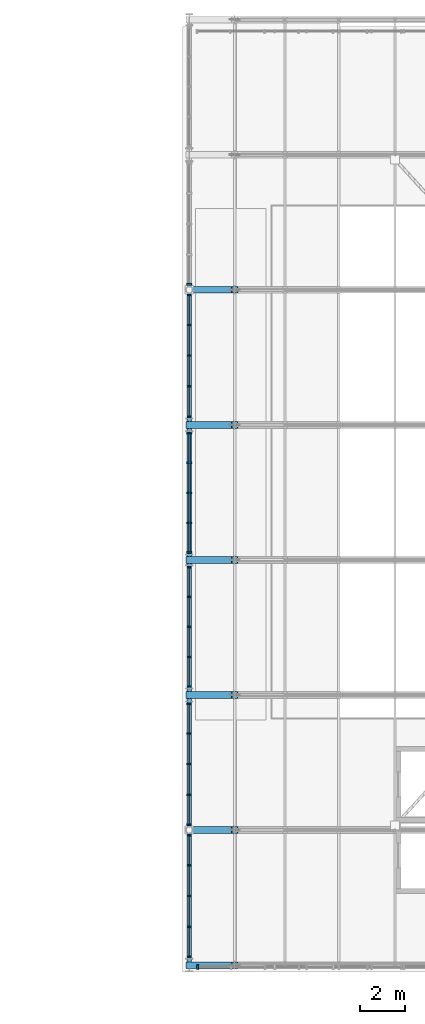
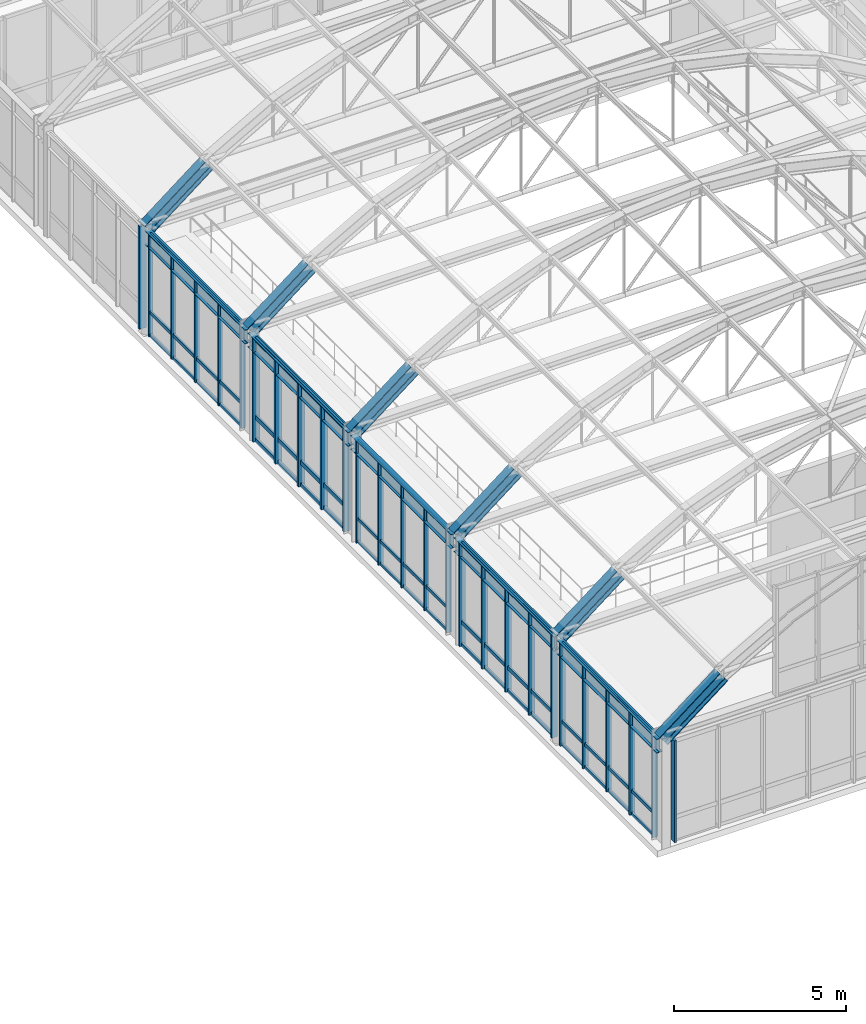
# One storey, part 28 of 148: 42 members, 11 beams, 7 elements without a shape of their own.
"""IFC4 building model written with IfcOpenShell, lengths in metres."""

from ifc_helpers import new_model, si_unit, direction, frame, origin, origin_2d, place, context, subcontext, project, spatial, rectangle, i_section, extrude, material, layer, layer_set, material_profile, profile_set, type_object, element, aggregate, save


model = new_model("IFC4")

# Units and contexts
model_context = context("Model", 3, precision=1e-05, world=origin(), true_north=direction((0.0, 1.0)))
body_context = subcontext(model_context, "Body", "Model", "MODEL_VIEW")
ifc_project = project(units=[si_unit("LENGTHUNIT", "METRE"), si_unit("AREAUNIT", "SQUARE_METRE"), si_unit("VOLUMEUNIT", "CUBIC_METRE"), si_unit("PLANEANGLEUNIT", "RADIAN"), si_unit("MASSUNIT", "GRAM", prefix="KILO"), si_unit("THERMODYNAMICTEMPERATUREUNIT", "KELVIN"), si_unit("POWERUNIT", "WATT")], contexts=[model_context])

# Site, building, storey
site_placement = place(None, origin())
site = spatial("IfcSite", under=ifc_project, at=site_placement, CompositionType="ELEMENT")
building_placement = place(site_placement, origin())
building = spatial("IfcBuilding", under=site, at=building_placement, Name="Solvatero Civic Police Headquarters", CompositionType="ELEMENT")
storey_placement = place(building_placement, frame((0.0, 0.0, 5.10009765625)))
storey = spatial("IfcBuildingStorey", under=building, at=storey_placement, Name="L01", CompositionType="ELEMENT", Elevation=5.10009765625)

# Beams
ifc_material_1 = material(Name="Steel S355", Category="steel")
ifc_material_profile_1 = material_profile(ifc_material_1, i_section(OverallWidth=0.300048828125, OverallDepth=0.449951171875, WebThickness=0.013916015625, FlangeThickness=0.02587890625, FilletRadius=0.027099609375, at=origin_2d()), Name="HEB 450")
ifc_profile_set_1 = profile_set([ifc_material_profile_1], Name="Steel S355")
beam_type_1 = type_object("IfcBeamType", Name="BM-ST-HEB450", PredefinedType="BEAM", material=ifc_profile_set_1)
for number, where, z_axis, x_axis, name in (
    (1, (98.800048828125, 4.800048828125, 3.712158203125), (0.789403525995, 0.0, 0.613874639602), (0.0, 1.0, 0.0), "VLT1 Tied-Arch Vault Top Chord F1.1"),
    (2, (98.800048828125, 10.800048828125, 3.712158203125), (0.789403525995, 0.0, 0.613874639602), (0.0, 1.0, 0.0), "VLT1 Tied-Arch Vault Top Chord F2.1"),
    (3, (98.800048828125, 16.800048828125, 3.712158203125), (0.789403525995, 0.0, 0.613874639602), (0.0, 1.0, 0.0), "VLT1 Tied-Arch Vault Top Chord F3.1"),
    (4, (98.800048828125, 22.800048828125, 3.712158203125), (0.789403525995, 0.0, 0.613874639602), (0.0, 1.0, 0.0), "VLT1 Tied-Arch Vault Top Chord F4.1"),
    (5, (98.800048828125, 28.800048828125, 3.712158203125), (0.789403525995, 0.0, 0.613874639602), (0.0, 1.0, 0.0), "VLT1 Tied-Arch Vault Top Chord F5.1"),
    (6, (98.800048828125, 34.800048828125, 3.712158203125), (0.789403525995, 0.0, 0.613874639602), (0.0, 1.0, 0.0), "VLT1 Tied-Arch Vault Top Chord F6.1"),
):
    element("IfcBeam", number, at=place(storey_placement, frame(where, z_axis=z_axis, x_axis=x_axis)), inside=storey, type_object=beam_type_1, Name=name, PredefinedType="BEAM", context=body_context, shape_type="SweptSolid", body=[
        extrude(i_section(OverallWidth=0.300048828125, OverallDepth=0.449951171875, WebThickness=0.013916015625, FlangeThickness=0.02587890625, FilletRadius=0.027099609375, at=origin_2d()), origin(), (0.0, 0.0, 1.0), 2.56201171875),
    ])
ifc_material_profile_2 = material_profile(ifc_material_1, i_section(OverallWidth=0.199951171875, OverallDepth=0.5, WebThickness=0.01025390625, FlangeThickness=0.01611328125, FilletRadius=0.02099609375, at=origin_2d()), Name="IPE 500")
ifc_profile_set_2 = profile_set([ifc_material_profile_2], Name="Steel S355")
beam_type_2 = type_object("IfcBeamType", Name="BM-ST-IPE500", PredefinedType="BEAM", material=ifc_profile_set_2)
for number, where, z_axis, x_axis, name in (
    (7, (98.800048828125, 4.8798828125, 3.429931640625), (0.0, 1.0, 0.0), (-1.0, 0.0, 0.0), "Primary girder BM-R2-VLT1-SPR-W-B1"),
    (8, (98.800048828125, 10.8798828125, 3.429931640625), (0.0, 1.0, 0.0), (-1.0, 0.0, 0.0), "Primary girder BM-R2-VLT1-SPR-W-B2"),
    (9, (98.800048828125, 16.8798828125, 3.429931640625), (0.0, 1.0, 0.0), (-1.0, 0.0, 0.0), "Primary girder BM-R2-VLT1-SPR-W-B3"),
    (10, (98.800048828125, 22.8798828125, 3.429931640625), (0.0, 1.0, 0.0), (-1.0, 0.0, 0.0), "Primary girder BM-R2-VLT1-SPR-W-B4"),
    (11, (98.800048828125, 28.8798828125, 3.429931640625), (0.0, 1.0, 0.0), (-1.0, 0.0, 0.0), "Primary girder BM-R2-VLT1-SPR-W-B5"),
):
    element("IfcBeam", number, at=place(storey_placement, frame(where, z_axis=z_axis, x_axis=x_axis)), inside=storey, type_object=beam_type_2, Name=name, PredefinedType="BEAM", context=body_context, shape_type="SweptSolid", body=[
        extrude(i_section(OverallWidth=0.199951171875, OverallDepth=0.5, WebThickness=0.01025390625, FlangeThickness=0.01611328125, FilletRadius=0.02099609375, at=origin_2d()), origin(), (0.0, 0.0, 1.0), 5.840087890625),
    ])

# Curtain wall, member
ifc_material_2 = material(Name="Anodized Bronze Aluminium", Category="aluminium")
ifc_layer = layer(ifc_material_2, 0.179931640625)
ifc_layer_set = layer_set([ifc_layer], Name="Anodized Bronze Aluminium")
curtain_wall_type = type_object("IfcCurtainWallType", Name="CW-HAL-GLZ", PredefinedType="USERDEFINED", material=ifc_layer_set)
curtain_wall_1_placement = place(storey_placement, origin())
curtain_wall_1 = element("IfcCurtainWall", 12, at=curtain_wall_1_placement, inside=storey, type_object=curtain_wall_type, Name="Curtain Wall CW-R2-L01-V1-W-B6", ObjectType="UNITISED", PredefinedType="USERDEFINED")
ifc_material_profile_3 = material_profile(ifc_material_2, rectangle(XDim=0.080078125, YDim=0.239990234375, at=origin_2d()), Name="ALU MULLION 80x240")
ifc_profile_set_3 = profile_set([ifc_material_profile_3], Name="Anodized Bronze Aluminium")
member_type_1 = type_object("IfcMemberType", Name="CWM-140x60", PredefinedType="MULLION", material=ifc_profile_set_3)
member_1_placement = place(storey_placement, frame((98.800048828125, 35.0419921875, 0.0), z_axis=(0.0, 0.0, 1.0), x_axis=(0.0, 1.0, 0.0)))
member_1 = element("IfcMember", 13, at=member_1_placement, type_object=member_type_1, Name="CW-R2-L01-V1-W-B6 Mullion 1", PredefinedType="MULLION", context=body_context, shape_type="SweptSolid", body=[
    extrude(rectangle(XDim=0.080078125, YDim=0.239990234375, at=origin_2d()), origin(), (0.0, 0.0, 1.0), 3.659912109375),
])
aggregate(curtain_wall_1, [member_1])

# Curtain wall, members
curtain_wall_2_placement = place(storey_placement, origin())
curtain_wall_2 = element("IfcCurtainWall", 14, at=curtain_wall_2_placement, inside=storey, type_object=curtain_wall_type, Name="Curtain Wall CW-R2-L01-V1-W-B5", ObjectType="UNITISED", PredefinedType="USERDEFINED")
ifc_material_profile_4 = material_profile(ifc_material_2, rectangle(XDim=0.06005859375, YDim=0.139892578125, at=origin_2d()), Name="ALU MULLION 60x140")
ifc_profile_set_4 = profile_set([ifc_material_profile_4], Name="Anodized Bronze Aluminium")
member_type_2 = type_object("IfcMemberType", Name="CWM-160x65", PredefinedType="MULLION", material=ifc_profile_set_4)
member_2_placement = place(storey_placement, frame((98.800048828125, 29.179931640625, 0.0), z_axis=(0.0, 0.0, 1.0), x_axis=(0.0, 1.0, 0.0)))
member_2 = element("IfcMember", 15, at=member_2_placement, type_object=member_type_2, Name="CW-R2-L01-V1-W-B5 Mullion 1", PredefinedType="MULLION", context=body_context, shape_type="SweptSolid", body=[
    extrude(rectangle(XDim=0.06005859375, YDim=0.139892578125, at=origin_2d()), origin(), (0.0, 0.0, 1.0), 3.659912109375),
])
member_3_placement = place(storey_placement, frame((98.800048828125, 30.50439453125, 0.0), z_axis=(0.0, 0.0, 1.0), x_axis=(0.0, 1.0, 0.0)))
member_3 = element("IfcMember", 16, at=member_3_placement, type_object=member_type_2, Name="CW-R2-L01-V1-W-B5 Mullion 2", PredefinedType="MULLION", context=body_context, shape_type="SweptSolid", body=[
    extrude(rectangle(XDim=0.06005859375, YDim=0.139892578125, at=origin_2d()), origin(), (0.0, 0.0, 1.0), 3.659912109375),
])
member_4_placement = place(storey_placement, frame((98.800048828125, 31.868896484375, 0.0), z_axis=(0.0, 0.0, 1.0), x_axis=(0.0, 1.0, 0.0)))
member_4 = element("IfcMember", 17, at=member_4_placement, type_object=member_type_2, Name="CW-R2-L01-V1-W-B5 Mullion 3", PredefinedType="MULLION", context=body_context, shape_type="SweptSolid", body=[
    extrude(rectangle(XDim=0.06005859375, YDim=0.139892578125, at=origin_2d()), origin(), (0.0, 0.0, 1.0), 3.659912109375),
])
member_5_placement = place(storey_placement, frame((98.800048828125, 33.2333984375, 0.0), z_axis=(0.0, 0.0, 1.0), x_axis=(0.0, 1.0, 0.0)))
member_5 = element("IfcMember", 18, at=member_5_placement, type_object=member_type_2, Name="CW-R2-L01-V1-W-B5 Mullion 4", PredefinedType="MULLION", context=body_context, shape_type="SweptSolid", body=[
    extrude(rectangle(XDim=0.06005859375, YDim=0.139892578125, at=origin_2d()), origin(), (0.0, 0.0, 1.0), 3.659912109375),
])
member_6_placement = place(storey_placement, frame((98.800048828125, 34.55810546875, 0.0), z_axis=(0.0, 0.0, 1.0), x_axis=(0.0, 1.0, 0.0)))
member_6 = element("IfcMember", 19, at=member_6_placement, type_object=member_type_2, Name="CW-R2-L01-V1-W-B5 Mullion 5", PredefinedType="MULLION", context=body_context, shape_type="SweptSolid", body=[
    extrude(rectangle(XDim=0.06005859375, YDim=0.139892578125, at=origin_2d()), origin(), (0.0, 0.0, 1.0), 3.659912109375),
])

curtain_wall_3_placement = place(storey_placement, origin())
curtain_wall_3 = element("IfcCurtainWall", 20, at=curtain_wall_3_placement, inside=storey, type_object=curtain_wall_type, Name="Curtain Wall CW-R2-L01-V1-W-B3", ObjectType="UNITISED", PredefinedType="USERDEFINED")
ifc_material_profile_5 = material_profile(ifc_material_2, rectangle(XDim=0.06005859375, YDim=0.159912109375, at=origin_2d()), Name="ALU MULLION 60x160")
ifc_profile_set_5 = profile_set([ifc_material_profile_5], Name="Anodized Bronze Aluminium")
member_type_3 = type_object("IfcMemberType", Name="CWM-180x70", PredefinedType="MULLION", material=ifc_profile_set_5)
member_7_placement = place(storey_placement, frame((98.800048828125, 17.18994140625, 0.0), z_axis=(0.0, 0.0, 1.0), x_axis=(0.0, 1.0, 0.0)))
member_7 = element("IfcMember", 21, at=member_7_placement, type_object=member_type_3, Name="CW-R2-L01-V1-W-B3 Mullion 1", PredefinedType="MULLION", context=body_context, shape_type="SweptSolid", body=[
    extrude(rectangle(XDim=0.06005859375, YDim=0.159912109375, at=origin_2d()), origin(), (0.0, 0.0, 1.0), 3.659912109375),
])
member_8_placement = place(storey_placement, frame((98.800048828125, 18.487060546875, 0.0), z_axis=(0.0, 0.0, 1.0), x_axis=(0.0, 1.0, 0.0)))
member_8 = element("IfcMember", 22, at=member_8_placement, type_object=member_type_3, Name="CW-R2-L01-V1-W-B3 Mullion 2", PredefinedType="MULLION", context=body_context, shape_type="SweptSolid", body=[
    extrude(rectangle(XDim=0.06005859375, YDim=0.159912109375, at=origin_2d()), origin(), (0.0, 0.0, 1.0), 3.659912109375),
])
member_9_placement = place(storey_placement, frame((98.800048828125, 19.823974609375, 0.0), z_axis=(0.0, 0.0, 1.0), x_axis=(0.0, 1.0, 0.0)))
member_9 = element("IfcMember", 23, at=member_9_placement, type_object=member_type_3, Name="CW-R2-L01-V1-W-B3 Mullion 3", PredefinedType="MULLION", context=body_context, shape_type="SweptSolid", body=[
    extrude(rectangle(XDim=0.06005859375, YDim=0.159912109375, at=origin_2d()), origin(), (0.0, 0.0, 1.0), 3.659912109375),
])
member_10_placement = place(storey_placement, frame((98.800048828125, 21.160888671875, 0.0), z_axis=(0.0, 0.0, 1.0), x_axis=(0.0, 1.0, 0.0)))
member_10 = element("IfcMember", 24, at=member_10_placement, type_object=member_type_3, Name="CW-R2-L01-V1-W-B3 Mullion 4", PredefinedType="MULLION", context=body_context, shape_type="SweptSolid", body=[
    extrude(rectangle(XDim=0.06005859375, YDim=0.159912109375, at=origin_2d()), origin(), (0.0, 0.0, 1.0), 3.659912109375),
])
member_11_placement = place(storey_placement, frame((98.800048828125, 22.4580078125, 0.0), z_axis=(0.0, 0.0, 1.0), x_axis=(0.0, 1.0, 0.0)))
member_11 = element("IfcMember", 25, at=member_11_placement, type_object=member_type_3, Name="CW-R2-L01-V1-W-B3 Mullion 5", PredefinedType="MULLION", context=body_context, shape_type="SweptSolid", body=[
    extrude(rectangle(XDim=0.06005859375, YDim=0.159912109375, at=origin_2d()), origin(), (0.0, 0.0, 1.0), 3.659912109375),
])

curtain_wall_4_placement = place(storey_placement, origin())
curtain_wall_4 = element("IfcCurtainWall", 26, at=curtain_wall_4_placement, inside=storey, type_object=curtain_wall_type, Name="Curtain Wall CW-R2-L01-V1-W-B1", ObjectType="UNITISED", PredefinedType="USERDEFINED")
ifc_material_profile_6 = material_profile(ifc_material_2, rectangle(XDim=0.06494140625, YDim=0.179931640625, at=origin_2d()), Name="ALU MULLION 65x180")
ifc_profile_set_6 = profile_set([ifc_material_profile_6], Name="Anodized Bronze Aluminium")
member_type_4 = type_object("IfcMemberType", Name="CWM-200x75", PredefinedType="MULLION", material=ifc_profile_set_6)
member_12_placement = place(storey_placement, frame((98.800048828125, 5.179931640625, 0.0), z_axis=(0.0, 0.0, 1.0), x_axis=(0.0, 1.0, 0.0)))
member_12 = element("IfcMember", 27, at=member_12_placement, type_object=member_type_4, Name="CW-R2-L01-V1-W-B1 Mullion 1", PredefinedType="MULLION", context=body_context, shape_type="SweptSolid", body=[
    extrude(rectangle(XDim=0.06494140625, YDim=0.179931640625, at=origin_2d()), origin(), (0.0, 0.0, 1.0), 3.659912109375),
])
member_13_placement = place(storey_placement, frame((98.800048828125, 6.50439453125, 0.0), z_axis=(0.0, 0.0, 1.0), x_axis=(0.0, 1.0, 0.0)))
member_13 = element("IfcMember", 28, at=member_13_placement, type_object=member_type_4, Name="CW-R2-L01-V1-W-B1 Mullion 2", PredefinedType="MULLION", context=body_context, shape_type="SweptSolid", body=[
    extrude(rectangle(XDim=0.06494140625, YDim=0.179931640625, at=origin_2d()), origin(), (0.0, 0.0, 1.0), 3.659912109375),
])
member_14_placement = place(storey_placement, frame((98.800048828125, 7.868896484375, 0.0), z_axis=(0.0, 0.0, 1.0), x_axis=(0.0, 1.0, 0.0)))
member_14 = element("IfcMember", 29, at=member_14_placement, type_object=member_type_4, Name="CW-R2-L01-V1-W-B1 Mullion 3", PredefinedType="MULLION", context=body_context, shape_type="SweptSolid", body=[
    extrude(rectangle(XDim=0.06494140625, YDim=0.179931640625, at=origin_2d()), origin(), (0.0, 0.0, 1.0), 3.659912109375),
])
member_15_placement = place(storey_placement, frame((98.800048828125, 9.2333984375, 0.0), z_axis=(0.0, 0.0, 1.0), x_axis=(0.0, 1.0, 0.0)))
member_15 = element("IfcMember", 30, at=member_15_placement, type_object=member_type_4, Name="CW-R2-L01-V1-W-B1 Mullion 4", PredefinedType="MULLION", context=body_context, shape_type="SweptSolid", body=[
    extrude(rectangle(XDim=0.06494140625, YDim=0.179931640625, at=origin_2d()), origin(), (0.0, 0.0, 1.0), 3.659912109375),
])
member_16_placement = place(storey_placement, frame((98.800048828125, 10.55810546875, 0.0), z_axis=(0.0, 0.0, 1.0), x_axis=(0.0, 1.0, 0.0)))
member_16 = element("IfcMember", 31, at=member_16_placement, type_object=member_type_4, Name="CW-R2-L01-V1-W-B1 Mullion 5", PredefinedType="MULLION", context=body_context, shape_type="SweptSolid", body=[
    extrude(rectangle(XDim=0.06494140625, YDim=0.179931640625, at=origin_2d()), origin(), (0.0, 0.0, 1.0), 3.659912109375),
])

curtain_wall_5_placement = place(storey_placement, origin())
curtain_wall_5 = element("IfcCurtainWall", 32, at=curtain_wall_5_placement, inside=storey, type_object=curtain_wall_type, Name="Curtain Wall CW-R2-L01-V1-W-B2", ObjectType="UNITISED", PredefinedType="USERDEFINED")
ifc_material_profile_7 = material_profile(ifc_material_2, rectangle(XDim=0.070068359375, YDim=0.199951171875, at=origin_2d()), Name="ALU MULLION 70x200")
ifc_profile_set_7 = profile_set([ifc_material_profile_7], Name="Anodized Bronze Aluminium")
member_type_5 = type_object("IfcMemberType", Name="CWM-220x80", PredefinedType="MULLION", material=ifc_profile_set_7)
member_17_placement = place(storey_placement, frame((98.800048828125, 11.0419921875, 0.0), z_axis=(0.0, 0.0, 1.0), x_axis=(0.0, 1.0, 0.0)))
member_17 = element("IfcMember", 33, at=member_17_placement, type_object=member_type_5, Name="CW-R2-L01-V1-W-B2 Mullion 1", PredefinedType="MULLION", context=body_context, shape_type="SweptSolid", body=[
    extrude(rectangle(XDim=0.070068359375, YDim=0.199951171875, at=origin_2d()), origin(), (0.0, 0.0, 1.0), 3.659912109375),
])
member_18_placement = place(storey_placement, frame((98.800048828125, 12.364013671875, 0.0), z_axis=(0.0, 0.0, 1.0), x_axis=(0.0, 1.0, 0.0)))
member_18 = element("IfcMember", 34, at=member_18_placement, type_object=member_type_5, Name="CW-R2-L01-V1-W-B2 Mullion 2", PredefinedType="MULLION", context=body_context, shape_type="SweptSolid", body=[
    extrude(rectangle(XDim=0.070068359375, YDim=0.199951171875, at=origin_2d()), origin(), (0.0, 0.0, 1.0), 3.659912109375),
])
member_19_placement = place(storey_placement, frame((98.800048828125, 13.72607421875, 0.0), z_axis=(0.0, 0.0, 1.0), x_axis=(0.0, 1.0, 0.0)))
member_19 = element("IfcMember", 35, at=member_19_placement, type_object=member_type_5, Name="CW-R2-L01-V1-W-B2 Mullion 3", PredefinedType="MULLION", context=body_context, shape_type="SweptSolid", body=[
    extrude(rectangle(XDim=0.070068359375, YDim=0.199951171875, at=origin_2d()), origin(), (0.0, 0.0, 1.0), 3.659912109375),
])
member_20_placement = place(storey_placement, frame((98.800048828125, 15.087890625, 0.0), z_axis=(0.0, 0.0, 1.0), x_axis=(0.0, 1.0, 0.0)))
member_20 = element("IfcMember", 36, at=member_20_placement, type_object=member_type_5, Name="CW-R2-L01-V1-W-B2 Mullion 4", PredefinedType="MULLION", context=body_context, shape_type="SweptSolid", body=[
    extrude(rectangle(XDim=0.070068359375, YDim=0.199951171875, at=origin_2d()), origin(), (0.0, 0.0, 1.0), 3.659912109375),
])
member_21_placement = place(storey_placement, frame((98.800048828125, 16.409912109375, 0.0), z_axis=(0.0, 0.0, 1.0), x_axis=(0.0, 1.0, 0.0)))
member_21 = element("IfcMember", 37, at=member_21_placement, type_object=member_type_5, Name="CW-R2-L01-V1-W-B2 Mullion 5", PredefinedType="MULLION", context=body_context, shape_type="SweptSolid", body=[
    extrude(rectangle(XDim=0.070068359375, YDim=0.199951171875, at=origin_2d()), origin(), (0.0, 0.0, 1.0), 3.659912109375),
])

# Curtain wall, member
curtain_wall_6_placement = place(storey_placement, origin())
curtain_wall_6 = element("IfcCurtainWall", 38, at=curtain_wall_6_placement, inside=storey, type_object=curtain_wall_type, Name="Curtain Wall CW-R2-L01-V1-S", ObjectType="UNITISED", PredefinedType="USERDEFINED")
member_22_placement = place(storey_placement, frame((99.179931640625, 4.719970703125, 0.0), z_axis=(0.0, 0.0, 1.0), x_axis=(1.0, 0.0, 0.0)))
member_22 = element("IfcMember", 39, at=member_22_placement, type_object=member_type_5, Name="CW-R2-L01-V1-S Mullion 1", PredefinedType="MULLION", context=body_context, shape_type="SweptSolid", body=[
    extrude(rectangle(XDim=0.070068359375, YDim=0.199951171875, at=origin_2d()), origin(), (0.0, 0.0, 1.0), 3.619873046875),
])
aggregate(curtain_wall_6, [member_22])

# Curtain wall, members
curtain_wall_7_placement = place(storey_placement, origin())
curtain_wall_7 = element("IfcCurtainWall", 40, at=curtain_wall_7_placement, inside=storey, type_object=curtain_wall_type, Name="Curtain Wall CW-R2-L01-V1-W-B4", ObjectType="UNITISED", PredefinedType="USERDEFINED")
ifc_material_profile_8 = material_profile(ifc_material_2, rectangle(XDim=0.074951171875, YDim=0.219970703125, at=origin_2d()), Name="ALU MULLION 75x220")
ifc_profile_set_8 = profile_set([ifc_material_profile_8], Name="Anodized Bronze Aluminium")
member_type_6 = type_object("IfcMemberType", Name="CWM-250x85", PredefinedType="MULLION", material=ifc_profile_set_8)
member_23_placement = place(storey_placement, frame((98.800048828125, 23.14208984375, 0.0), z_axis=(0.0, 0.0, 1.0), x_axis=(0.0, 1.0, 0.0)))
member_23 = element("IfcMember", 41, at=member_23_placement, type_object=member_type_6, Name="CW-R2-L01-V1-W-B4 Mullion 1", PredefinedType="MULLION", context=body_context, shape_type="SweptSolid", body=[
    extrude(rectangle(XDim=0.074951171875, YDim=0.219970703125, at=origin_2d()), origin(), (0.0, 0.0, 1.0), 3.659912109375),
])
member_24_placement = place(storey_placement, frame((98.800048828125, 24.44140625, 0.0), z_axis=(0.0, 0.0, 1.0), x_axis=(0.0, 1.0, 0.0)))
member_24 = element("IfcMember", 42, at=member_24_placement, type_object=member_type_6, Name="CW-R2-L01-V1-W-B4 Mullion 2", PredefinedType="MULLION", context=body_context, shape_type="SweptSolid", body=[
    extrude(rectangle(XDim=0.074951171875, YDim=0.219970703125, at=origin_2d()), origin(), (0.0, 0.0, 1.0), 3.659912109375),
])
member_25_placement = place(storey_placement, frame((98.800048828125, 25.781005859375, 0.0), z_axis=(0.0, 0.0, 1.0), x_axis=(0.0, 1.0, 0.0)))
member_25 = element("IfcMember", 43, at=member_25_placement, type_object=member_type_6, Name="CW-R2-L01-V1-W-B4 Mullion 3", PredefinedType="MULLION", context=body_context, shape_type="SweptSolid", body=[
    extrude(rectangle(XDim=0.074951171875, YDim=0.219970703125, at=origin_2d()), origin(), (0.0, 0.0, 1.0), 3.659912109375),
])
member_26_placement = place(storey_placement, frame((98.800048828125, 27.12060546875, 0.0), z_axis=(0.0, 0.0, 1.0), x_axis=(0.0, 1.0, 0.0)))
member_26 = element("IfcMember", 44, at=member_26_placement, type_object=member_type_6, Name="CW-R2-L01-V1-W-B4 Mullion 4", PredefinedType="MULLION", context=body_context, shape_type="SweptSolid", body=[
    extrude(rectangle(XDim=0.074951171875, YDim=0.219970703125, at=origin_2d()), origin(), (0.0, 0.0, 1.0), 3.659912109375),
])
member_27_placement = place(storey_placement, frame((98.800048828125, 28.419921875, 0.0), z_axis=(0.0, 0.0, 1.0), x_axis=(0.0, 1.0, 0.0)))
member_27 = element("IfcMember", 45, at=member_27_placement, type_object=member_type_6, Name="CW-R2-L01-V1-W-B4 Mullion 5", PredefinedType="MULLION", context=body_context, shape_type="SweptSolid", body=[
    extrude(rectangle(XDim=0.074951171875, YDim=0.219970703125, at=origin_2d()), origin(), (0.0, 0.0, 1.0), 3.659912109375),
])
ifc_material_profile_9 = material_profile(ifc_material_2, rectangle(XDim=0.070068359375, YDim=0.159912109375, at=origin_2d()), Name="ALU TRANSOM 70x160")
ifc_profile_set_9 = profile_set([ifc_material_profile_9], Name="Anodized Bronze Aluminium")
member_type_7 = type_object("IfcMemberType", Name="CWT-120x55", PredefinedType="USERDEFINED", material=ifc_profile_set_9)
member_28_placement = place(storey_placement, frame((98.800048828125, 23.152099609375, 0.039794921875), z_axis=(0.0, 1.0, 0.0), x_axis=(-1.0, 0.0, 0.0)))
member_28 = element("IfcMember", 46, at=member_28_placement, type_object=member_type_7, Name="CW-R2-L01-V1-W-B4 Transom 1", ObjectType="TRANSOM", PredefinedType="USERDEFINED", context=body_context, shape_type="SweptSolid", body=[
    extrude(rectangle(XDim=0.070068359375, YDim=0.159912109375, at=origin_2d()), origin(), (0.0, 0.0, 1.0), 5.2578125),
])
member_29_placement = place(storey_placement, frame((98.800048828125, 23.152099609375, 0.849853515625), z_axis=(0.0, 1.0, 0.0), x_axis=(-1.0, 0.0, 0.0)))
member_29 = element("IfcMember", 47, at=member_29_placement, type_object=member_type_7, Name="CW-R2-L01-V1-W-B4 Transom 2", ObjectType="TRANSOM", PredefinedType="USERDEFINED", context=body_context, shape_type="SweptSolid", body=[
    extrude(rectangle(XDim=0.070068359375, YDim=0.159912109375, at=origin_2d()), origin(), (0.0, 0.0, 1.0), 5.2578125),
])
member_30_placement = place(storey_placement, frame((98.800048828125, 23.152099609375, 3.619873046875), z_axis=(0.0, 1.0, 0.0), x_axis=(-1.0, 0.0, 0.0)))
member_30 = element("IfcMember", 48, at=member_30_placement, type_object=member_type_7, Name="CW-R2-L01-V1-W-B4 Transom 3", ObjectType="TRANSOM", PredefinedType="USERDEFINED", context=body_context, shape_type="SweptSolid", body=[
    extrude(rectangle(XDim=0.070068359375, YDim=0.159912109375, at=origin_2d()), origin(), (0.0, 0.0, 1.0), 5.2578125),
])
aggregate(curtain_wall_7, [member_23, member_24, member_25, member_26, member_27, member_28, member_29, member_30])

# Member
ifc_material_profile_10 = material_profile(ifc_material_2, rectangle(XDim=0.06005859375, YDim=0.110107421875, at=origin_2d()), Name="ALU TRANSOM 60x110")
ifc_profile_set_10 = profile_set([ifc_material_profile_10], Name="Anodized Bronze Aluminium")
member_type_8 = type_object("IfcMemberType", Name="CWT-140x60", PredefinedType="USERDEFINED", material=ifc_profile_set_10)
member_31_placement = place(storey_placement, frame((98.800048828125, 17.199951171875, 0.039794921875), z_axis=(0.0, 1.0, 0.0), x_axis=(-1.0, 0.0, 0.0)))
member_31 = element("IfcMember", 49, at=member_31_placement, type_object=member_type_8, Name="CW-R2-L01-V1-W-B3 Transom 1", ObjectType="TRANSOM", PredefinedType="USERDEFINED", context=body_context, shape_type="SweptSolid", body=[
    extrude(rectangle(XDim=0.06005859375, YDim=0.110107421875, at=origin_2d()), origin(), (0.0, 0.0, 1.0), 5.248046875),
])

member_32_placement = place(storey_placement, frame((98.800048828125, 17.199951171875, 0.849853515625), z_axis=(0.0, 1.0, 0.0), x_axis=(-1.0, 0.0, 0.0)))
member_32 = element("IfcMember", 50, at=member_32_placement, type_object=member_type_8, Name="CW-R2-L01-V1-W-B3 Transom 2", ObjectType="TRANSOM", PredefinedType="USERDEFINED", context=body_context, shape_type="SweptSolid", body=[
    extrude(rectangle(XDim=0.06005859375, YDim=0.110107421875, at=origin_2d()), origin(), (0.0, 0.0, 1.0), 5.248046875),
])

member_33_placement = place(storey_placement, frame((98.800048828125, 17.199951171875, 3.619873046875), z_axis=(0.0, 1.0, 0.0), x_axis=(-1.0, 0.0, 0.0)))
member_33 = element("IfcMember", 51, at=member_33_placement, type_object=member_type_8, Name="CW-R2-L01-V1-W-B3 Transom 3", ObjectType="TRANSOM", PredefinedType="USERDEFINED", context=body_context, shape_type="SweptSolid", body=[
    extrude(rectangle(XDim=0.06005859375, YDim=0.110107421875, at=origin_2d()), origin(), (0.0, 0.0, 1.0), 5.248046875),
])

aggregate(curtain_wall_3, [member_7, member_8, member_9, member_10, member_11, member_31, member_32, member_33])

ifc_material_profile_11 = material_profile(ifc_material_2, rectangle(XDim=0.06005859375, YDim=0.125, at=origin_2d()), Name="ALU TRANSOM 60x125")
ifc_profile_set_11 = profile_set([ifc_material_profile_11], Name="Anodized Bronze Aluminium")
member_type_9 = type_object("IfcMemberType", Name="CWT-160x65", PredefinedType="USERDEFINED", material=ifc_profile_set_11)
member_34_placement = place(storey_placement, frame((98.800048828125, 5.18994140625, 0.039794921875), z_axis=(0.0, 1.0, 0.0), x_axis=(-1.0, 0.0, 0.0)))
member_34 = element("IfcMember", 52, at=member_34_placement, type_object=member_type_9, Name="CW-R2-L01-V1-W-B1 Transom 1", ObjectType="TRANSOM", PredefinedType="USERDEFINED", context=body_context, shape_type="SweptSolid", body=[
    extrude(rectangle(XDim=0.06005859375, YDim=0.125, at=origin_2d()), origin(), (0.0, 0.0, 1.0), 5.358154296875),
])

member_35_placement = place(storey_placement, frame((98.800048828125, 5.18994140625, 0.849853515625), z_axis=(0.0, 1.0, 0.0), x_axis=(-1.0, 0.0, 0.0)))
member_35 = element("IfcMember", 53, at=member_35_placement, type_object=member_type_9, Name="CW-R2-L01-V1-W-B1 Transom 2", ObjectType="TRANSOM", PredefinedType="USERDEFINED", context=body_context, shape_type="SweptSolid", body=[
    extrude(rectangle(XDim=0.06005859375, YDim=0.125, at=origin_2d()), origin(), (0.0, 0.0, 1.0), 5.358154296875),
])

member_36_placement = place(storey_placement, frame((98.800048828125, 5.18994140625, 3.619873046875), z_axis=(0.0, 1.0, 0.0), x_axis=(-1.0, 0.0, 0.0)))
member_36 = element("IfcMember", 54, at=member_36_placement, type_object=member_type_9, Name="CW-R2-L01-V1-W-B1 Transom 3", ObjectType="TRANSOM", PredefinedType="USERDEFINED", context=body_context, shape_type="SweptSolid", body=[
    extrude(rectangle(XDim=0.06005859375, YDim=0.125, at=origin_2d()), origin(), (0.0, 0.0, 1.0), 5.358154296875),
])

aggregate(curtain_wall_4, [member_12, member_13, member_14, member_15, member_16, member_34, member_35, member_36])

member_37_placement = place(storey_placement, frame((98.800048828125, 29.18994140625, 0.039794921875), z_axis=(0.0, 1.0, 0.0), x_axis=(-1.0, 0.0, 0.0)))
member_37 = element("IfcMember", 55, at=member_37_placement, type_object=member_type_9, Name="CW-R2-L01-V1-W-B5 Transom 1", ObjectType="TRANSOM", PredefinedType="USERDEFINED", context=body_context, shape_type="SweptSolid", body=[
    extrude(rectangle(XDim=0.06005859375, YDim=0.125, at=origin_2d()), origin(), (0.0, 0.0, 1.0), 5.358154296875),
])

member_38_placement = place(storey_placement, frame((98.800048828125, 29.18994140625, 0.849853515625), z_axis=(0.0, 1.0, 0.0), x_axis=(-1.0, 0.0, 0.0)))
member_38 = element("IfcMember", 56, at=member_38_placement, type_object=member_type_9, Name="CW-R2-L01-V1-W-B5 Transom 2", ObjectType="TRANSOM", PredefinedType="USERDEFINED", context=body_context, shape_type="SweptSolid", body=[
    extrude(rectangle(XDim=0.06005859375, YDim=0.125, at=origin_2d()), origin(), (0.0, 0.0, 1.0), 5.358154296875),
])

member_39_placement = place(storey_placement, frame((98.800048828125, 29.18994140625, 3.619873046875), z_axis=(0.0, 1.0, 0.0), x_axis=(-1.0, 0.0, 0.0)))
member_39 = element("IfcMember", 57, at=member_39_placement, type_object=member_type_9, Name="CW-R2-L01-V1-W-B5 Transom 3", ObjectType="TRANSOM", PredefinedType="USERDEFINED", context=body_context, shape_type="SweptSolid", body=[
    extrude(rectangle(XDim=0.06005859375, YDim=0.125, at=origin_2d()), origin(), (0.0, 0.0, 1.0), 5.358154296875),
])

aggregate(curtain_wall_2, [member_2, member_3, member_4, member_5, member_6, member_37, member_38, member_39])

ifc_material_profile_12 = material_profile(ifc_material_2, rectangle(XDim=0.06494140625, YDim=0.139892578125, at=origin_2d()), Name="ALU TRANSOM 65x140")
ifc_profile_set_12 = profile_set([ifc_material_profile_12], Name="Anodized Bronze Aluminium")
member_type_10 = type_object("IfcMemberType", Name="CWT-180x70", PredefinedType="USERDEFINED", material=ifc_profile_set_12)
member_40_placement = place(storey_placement, frame((98.800048828125, 11.052001953125, 0.039794921875), z_axis=(0.0, 1.0, 0.0), x_axis=(-1.0, 0.0, 0.0)))
member_40 = element("IfcMember", 58, at=member_40_placement, type_object=member_type_10, Name="CW-R2-L01-V1-W-B2 Transom 1", ObjectType="TRANSOM", PredefinedType="USERDEFINED", context=body_context, shape_type="SweptSolid", body=[
    extrude(rectangle(XDim=0.06494140625, YDim=0.139892578125, at=origin_2d()), origin(), (0.0, 0.0, 1.0), 5.347900390625),
])

member_41_placement = place(storey_placement, frame((98.800048828125, 11.052001953125, 0.849853515625), z_axis=(0.0, 1.0, 0.0), x_axis=(-1.0, 0.0, 0.0)))
member_41 = element("IfcMember", 59, at=member_41_placement, type_object=member_type_10, Name="CW-R2-L01-V1-W-B2 Transom 2", ObjectType="TRANSOM", PredefinedType="USERDEFINED", context=body_context, shape_type="SweptSolid", body=[
    extrude(rectangle(XDim=0.06494140625, YDim=0.139892578125, at=origin_2d()), origin(), (0.0, 0.0, 1.0), 5.347900390625),
])

member_42_placement = place(storey_placement, frame((98.800048828125, 11.052001953125, 3.619873046875), z_axis=(0.0, 1.0, 0.0), x_axis=(-1.0, 0.0, 0.0)))
member_42 = element("IfcMember", 60, at=member_42_placement, type_object=member_type_10, Name="CW-R2-L01-V1-W-B2 Transom 3", ObjectType="TRANSOM", PredefinedType="USERDEFINED", context=body_context, shape_type="SweptSolid", body=[
    extrude(rectangle(XDim=0.06494140625, YDim=0.139892578125, at=origin_2d()), origin(), (0.0, 0.0, 1.0), 5.347900390625),
])

aggregate(curtain_wall_5, [member_17, member_18, member_19, member_20, member_21, member_40, member_41, member_42])

save(model, "model.ifc")
